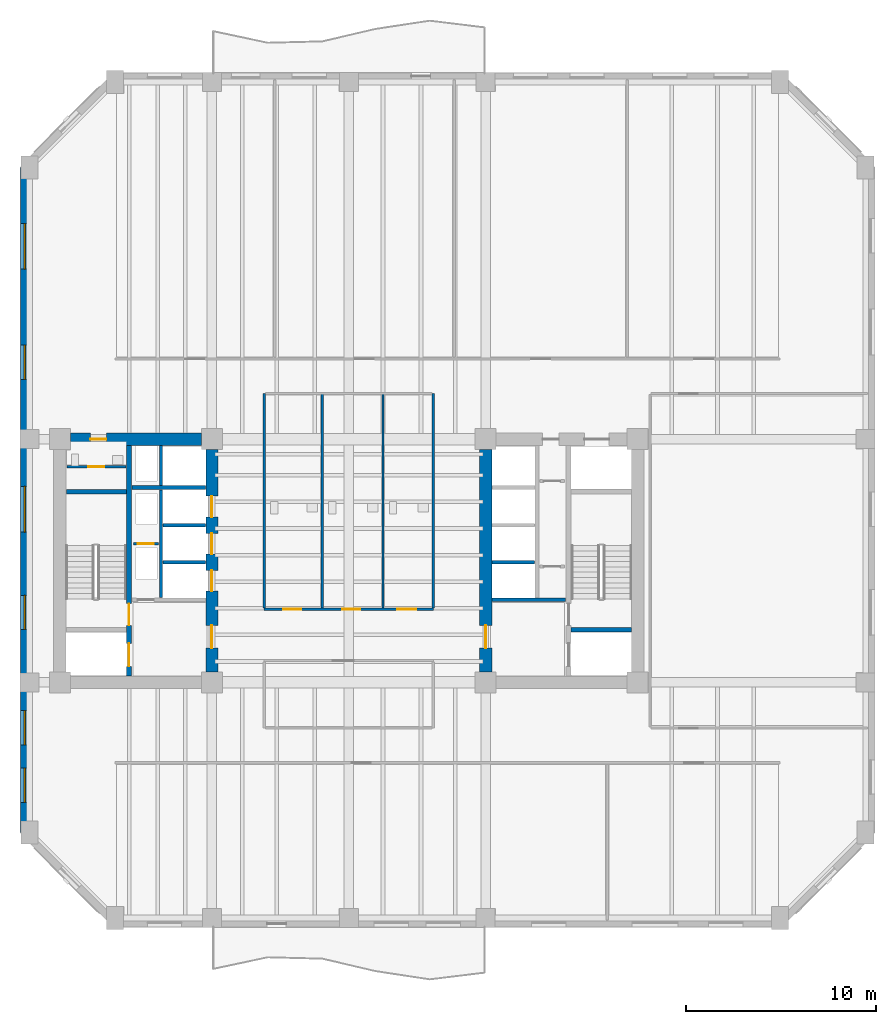
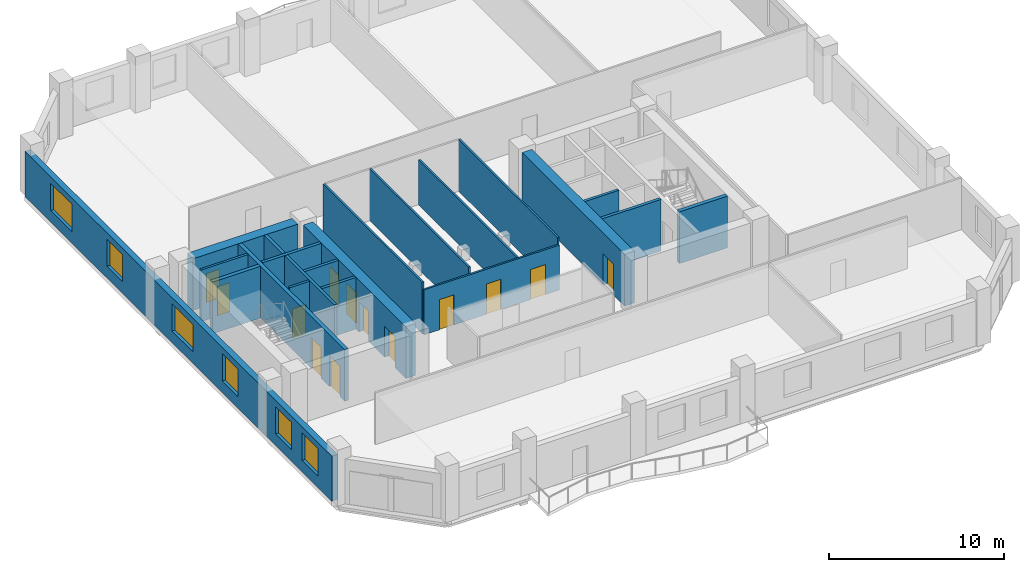
# One storey, part 3 of 9: 21 walls, 13 doors, 6 windows, 19 openings.
"""IFC4 building model written with IfcOpenShell, lengths in metres."""

from ifc_helpers import new_model, si_unit, direction, frame, frame_2d, origin, place, context, subcontext, project, spatial, rectangle, extrude, material, layer, layer_set, type_object, element, fill, save


model = new_model("IFC4")

# Units and contexts
model_context = context("Model", 3, precision=1e-05, world=origin(), true_north=direction((0.0, 1.0)))
body_context = subcontext(model_context, "Body", "Model", "MODEL_VIEW")
ifc_project = project(units=[si_unit("LENGTHUNIT", "METRE"), si_unit("AREAUNIT", "SQUARE_METRE"), si_unit("VOLUMEUNIT", "CUBIC_METRE"), si_unit("PLANEANGLEUNIT", "RADIAN"), si_unit("MASSUNIT", "GRAM", prefix="KILO")], contexts=[model_context])

# Site, building, storey
site_placement = place(None, origin())
site = spatial("IfcSite", under=ifc_project, at=site_placement, CompositionType="ELEMENT")
building_placement = place(site_placement, origin())
building = spatial("IfcBuilding", under=site, at=building_placement, Name="Kranthara Brick Stack", CompositionType="ELEMENT")
storey_placement = place(building_placement, frame((0.0, 0.0, 78.89990234375)))
storey = spatial("IfcBuildingStorey", under=building, at=storey_placement, Name="L19", CompositionType="ELEMENT", Elevation=78.89990234375)

# Wall, openings, windows
ifc_material_1 = material(Name="Kiln-fired clay brick masonry M15", Category="masonry")
ifc_layer_1 = layer(ifc_material_1, 0.3798828125)
ifc_layer_set_1 = layer_set([ifc_layer_1], Name="Kiln-fired clay brick masonry M15")
wall_type_1 = type_object("IfcWallType", Name="WL-BRK-PIER-380", PredefinedType="STANDARD", material=ifc_layer_set_1)
wall_1_placement = place(storey_placement, frame((10.909912109375, 12.89990234375, 0.0), z_axis=(0.0, 0.0, 1.0), x_axis=(0.0, 1.0, 0.0)))
wall_1 = element("IfcWall", 1, at=wall_1_placement, inside=storey, type_object=wall_type_1, Name="L19 Exterior Brick Facade Wall WEST 1", PredefinedType="STANDARD", context=body_context, shape_type="SweptSolid", body=[
    extrude(rectangle(XDim=35.0, YDim=0.3798828125, at=frame_2d((17.5, 0.0))), origin(), (0.0, 0.0, 1.0), 3.135009765625),
])
opening_1_placement = place(wall_1_placement, frame((1.587890625, 0.0, 0.800048828125)))
opening_1 = element("IfcOpeningElement", 2, at=opening_1_placement, cuts=wall_1, Name="Opening WN01", PredefinedType="OPENING", context=body_context, shape_type="SweptSolid", body=[
    extrude(rectangle(XDim=1.800048828125, YDim=1.89990234375, at=frame_2d((0.89990234375, 0.949951171875))), frame((0.0, 0.199951171875, 0.0), z_axis=(0.0, -1.0, 0.0), x_axis=(1.0, 0.0, 0.0)), (0.0, 0.0, 1.0), 0.39990234375),
])
opening_2_placement = place(wall_1_placement, frame((4.612060546875, 0.0, 0.800048828125)))
opening_2 = element("IfcOpeningElement", 3, at=opening_2_placement, cuts=wall_1, Name="Opening WN01", PredefinedType="OPENING", context=body_context, shape_type="SweptSolid", body=[
    extrude(rectangle(XDim=1.800048828125, YDim=1.89990234375, at=frame_2d((0.89990234375, 0.949951171875))), frame((0.0, 0.199951171875, 0.0), z_axis=(0.0, -1.0, 0.0), x_axis=(1.0, 0.0, 0.0)), (0.0, 0.0, 1.0), 0.39990234375),
])
opening_3_placement = place(wall_1_placement, frame((10.68798828125, 0.0, 0.800048828125)))
opening_3 = element("IfcOpeningElement", 4, at=opening_3_placement, cuts=wall_1, Name="Opening WN01", PredefinedType="OPENING", context=body_context, shape_type="SweptSolid", body=[
    extrude(rectangle(XDim=1.800048828125, YDim=1.89990234375, at=frame_2d((0.89990234375, 0.949951171875))), frame((0.0, 0.199951171875, 0.0), z_axis=(0.0, -1.0, 0.0), x_axis=(1.0, 0.0, 0.0)), (0.0, 0.0, 1.0), 0.39990234375),
])
opening_4_placement = place(wall_1_placement, frame((15.81201171875, 0.0, 0.800048828125)))
opening_4 = element("IfcOpeningElement", 5, at=opening_4_placement, cuts=wall_1, Name="Opening WN02", PredefinedType="OPENING", context=body_context, shape_type="SweptSolid", body=[
    extrude(rectangle(XDim=2.39990234375, YDim=1.89990234375, at=frame_2d((1.199951171875, 0.949951171875))), frame((0.0, 0.199951171875, 0.0), z_axis=(0.0, -1.0, 0.0), x_axis=(1.0, 0.0, 0.0)), (0.0, 0.0, 1.0), 0.39990234375),
])
opening_5_placement = place(wall_1_placement, frame((23.85205078125, 0.0, 0.800048828125)))
opening_5 = element("IfcOpeningElement", 6, at=opening_5_placement, cuts=wall_1, Name="Opening WN01", PredefinedType="OPENING", context=body_context, shape_type="SweptSolid", body=[
    extrude(rectangle(XDim=1.800048828125, YDim=1.89990234375, at=frame_2d((0.89990234375, 0.949951171875))), frame((0.0, 0.199951171875, 0.0), z_axis=(0.0, -1.0, 0.0), x_axis=(1.0, 0.0, 0.0)), (0.0, 0.0, 1.0), 0.39990234375),
])
opening_6_placement = place(wall_1_placement, frame((29.64794921875, 0.0, 0.800048828125)))
opening_6 = element("IfcOpeningElement", 7, at=opening_6_placement, cuts=wall_1, Name="Opening WN02", PredefinedType="OPENING", context=body_context, shape_type="SweptSolid", body=[
    extrude(rectangle(XDim=2.39990234375, YDim=1.89990234375, at=frame_2d((1.199951171875, 0.949951171875))), frame((0.0, 0.199951171875, 0.0), z_axis=(0.0, -1.0, 0.0), x_axis=(1.0, 0.0, 0.0)), (0.0, 0.0, 1.0), 0.39990234375),
])
ifc_material_2 = material(Name="Double-glazed low-E solar control glass", Category="glass")
window_type_1 = type_object("IfcWindowType", Name="WN-OFF-1800x2000", PartitioningType="SINGLE_PANEL", PredefinedType="WINDOW", material=ifc_material_2)
window_1_placement = place(opening_1_placement, origin())
window_1 = element("IfcWindow", 8, at=window_1_placement, inside=storey, type_object=window_type_1, Name="L19 West Deep-Set Brick Window 01", OverallHeight=1.89990234375, OverallWidth=1.800048828125, PartitioningType="SINGLE_PANEL", PredefinedType="WINDOW", context=body_context, shape_type="SweptSolid", body=[
    extrude(rectangle(XDim=1.800048828125, YDim=1.89990234375, at=frame_2d((0.89990234375, 0.949951171875))), frame((0.0, -0.010009765625, 0.0), z_axis=(0.0, -1.0, 0.0), x_axis=(1.0, 0.0, 0.0)), (0.0, 0.0, 1.0), 0.06005859375),
])
fill(opening_1, window_1)
window_2_placement = place(opening_2_placement, origin())
window_2 = element("IfcWindow", 9, at=window_2_placement, inside=storey, type_object=window_type_1, Name="L19 West Deep-Set Brick Window 02", OverallHeight=1.89990234375, OverallWidth=1.800048828125, PartitioningType="SINGLE_PANEL", PredefinedType="WINDOW", context=body_context, shape_type="SweptSolid", body=[
    extrude(rectangle(XDim=1.800048828125, YDim=1.89990234375, at=frame_2d((0.89990234375, 0.949951171875))), frame((0.0, -0.010009765625, 0.0), z_axis=(0.0, -1.0, 0.0), x_axis=(1.0, 0.0, 0.0)), (0.0, 0.0, 1.0), 0.06005859375),
])
fill(opening_2, window_2)
window_3_placement = place(opening_3_placement, origin())
window_3 = element("IfcWindow", 10, at=window_3_placement, inside=storey, type_object=window_type_1, Name="L19 West Deep-Set Brick Window 03", OverallHeight=1.89990234375, OverallWidth=1.800048828125, PartitioningType="SINGLE_PANEL", PredefinedType="WINDOW", context=body_context, shape_type="SweptSolid", body=[
    extrude(rectangle(XDim=1.800048828125, YDim=1.89990234375, at=frame_2d((0.89990234375, 0.949951171875))), frame((0.0, -0.010009765625, 0.0), z_axis=(0.0, -1.0, 0.0), x_axis=(1.0, 0.0, 0.0)), (0.0, 0.0, 1.0), 0.06005859375),
])
fill(opening_3, window_3)
window_4_placement = place(opening_5_placement, origin())
window_4 = element("IfcWindow", 11, at=window_4_placement, inside=storey, type_object=window_type_1, Name="L19 West Deep-Set Brick Window 05", OverallHeight=1.89990234375, OverallWidth=1.800048828125, PartitioningType="SINGLE_PANEL", PredefinedType="WINDOW", context=body_context, shape_type="SweptSolid", body=[
    extrude(rectangle(XDim=1.800048828125, YDim=1.89990234375, at=frame_2d((0.89990234375, 0.949951171875))), frame((0.0, -0.010009765625, 0.0), z_axis=(0.0, -1.0, 0.0), x_axis=(1.0, 0.0, 0.0)), (0.0, 0.0, 1.0), 0.06005859375),
])
fill(opening_5, window_4)
ifc_material_3 = material(Name="Double-glazed low-E solar control glass", Category="glass")
window_type_2 = type_object("IfcWindowType", Name="WN-OFF-2400x2000", PartitioningType="DOUBLE_PANEL_VERTICAL", PredefinedType="WINDOW", material=ifc_material_3)
window_5_placement = place(opening_4_placement, origin())
window_5 = element("IfcWindow", 12, at=window_5_placement, inside=storey, type_object=window_type_2, Name="L19 West Deep-Set Brick Window 04", OverallHeight=1.89990234375, OverallWidth=2.39990234375, PartitioningType="SINGLE_PANEL", PredefinedType="WINDOW", context=body_context, shape_type="SweptSolid", body=[
    extrude(rectangle(XDim=2.39990234375, YDim=1.89990234375, at=frame_2d((1.199951171875, 0.949951171875))), frame((0.0, -0.010009765625, 0.0), z_axis=(0.0, -1.0, 0.0), x_axis=(1.0, 0.0, 0.0)), (0.0, 0.0, 1.0), 0.06005859375),
])
fill(opening_4, window_5)
window_6_placement = place(opening_6_placement, origin())
window_6 = element("IfcWindow", 13, at=window_6_placement, inside=storey, type_object=window_type_2, Name="L19 West Deep-Set Brick Window 06", OverallHeight=1.89990234375, OverallWidth=2.39990234375, PartitioningType="SINGLE_PANEL", PredefinedType="WINDOW", context=body_context, shape_type="SweptSolid", body=[
    extrude(rectangle(XDim=2.39990234375, YDim=1.89990234375, at=frame_2d((1.199951171875, 0.949951171875))), frame((0.0, -0.010009765625, 0.0), z_axis=(0.0, -1.0, 0.0), x_axis=(1.0, 0.0, 0.0)), (0.0, 0.0, 1.0), 0.06005859375),
])
fill(opening_6, window_6)

# Wall, openings, doors
ifc_material_4 = material(Name="Concrete C50/60", Category="concrete")
ifc_layer_2 = layer(ifc_material_4, 0.25)
ifc_layer_set_2 = layer_set([ifc_layer_2], Name="Concrete C50/60")
wall_type_2 = type_object("IfcWallType", Name="WL-CORE-250", PredefinedType="SHEAR", material=ifc_layer_set_2)
wall_2_placement = place(storey_placement, frame((16.43505859375, 21.135009765625, 0.0), z_axis=(0.0, 0.0, 1.0), x_axis=(0.0, 1.0, 0.0)))
wall_2 = element("IfcWall", 14, at=wall_2_placement, inside=storey, type_object=wall_type_2, Name="L19 West Core Stair Bearing Spine Wall", PredefinedType="SHEAR", context=body_context, shape_type="SweptSolid", body=[
    extrude(rectangle(XDim=12.1298828125, YDim=0.25, at=frame_2d((6.06494140625, 0.0))), origin(), (0.0, 0.0, 1.0), 3.60009765625),
])
opening_7_placement = place(wall_2_placement, frame((0.514892578125, 0.0, 0.0)))
opening_7 = element("IfcOpeningElement", 15, at=opening_7_placement, cuts=wall_2, Name="Opening LD01", PredefinedType="OPENING", context=body_context, shape_type="SweptSolid", body=[
    extrude(rectangle(XDim=1.199951171875, YDim=2.14990234375, at=frame_2d((0.60009765625, 1.074951171875))), frame((0.0, 0.135009765625, 0.0), z_axis=(0.0, -1.0, 0.0), x_axis=(1.0, 0.0, 0.0)), (0.0, 0.0, 1.0), 0.27001953125),
])
opening_8_placement = place(wall_2_placement, frame((2.6650390625, 0.0, 0.0)))
opening_8 = element("IfcOpeningElement", 16, at=opening_8_placement, cuts=wall_2, Name="Opening D05", PredefinedType="OPENING", context=body_context, shape_type="SweptSolid", body=[
    extrude(rectangle(XDim=1.14990234375, YDim=2.14990234375, at=frame_2d((0.574951171875, 1.074951171875))), frame((0.0, 0.135009765625, 0.0), z_axis=(0.0, -1.0, 0.0), x_axis=(1.0, 0.0, 0.0)), (0.0, 0.0, 1.0), 0.27001953125),
])
ifc_material_5 = material(Name="Stainless steel sliding landing door", Category="steel")
door_type_1 = type_object("IfcDoorType", Name="DR-LD-FF1200", OperationType="DOUBLE_DOOR_SLIDING", PredefinedType="DOOR", material=ifc_material_5)
door_1_placement = place(opening_7_placement, origin())
door_1 = element("IfcDoor", 17, at=door_1_placement, inside=storey, type_object=door_type_1, Name="L19 Firefighting Lift FF-01 Landing Door", OperationType="DOUBLE_DOOR_SLIDING", OverallHeight=2.14990234375, OverallWidth=1.199951171875, PredefinedType="DOOR", context=body_context, shape_type="SweptSolid", body=[
    extrude(rectangle(XDim=1.199951171875, YDim=2.14990234375, at=frame_2d((0.60009765625, 1.074951171875))), frame((0.0, 0.02490234375, 0.0), z_axis=(0.0, -1.0, 0.0), x_axis=(1.0, 0.0, 0.0)), (0.0, 0.0, 1.0), 0.050048828125),
])
fill(opening_7, door_1)
ifc_material_6 = material(Name="Solid-core hardwood timber leaf in steel frame", Category="steel")
door_type_2 = type_object("IfcDoorType", Name="DR-ST-1150", OperationType="NOTDEFINED", PredefinedType="DOOR", material=ifc_material_6)
door_2_placement = place(opening_8_placement, origin())
door_2 = element("IfcDoor", 18, at=door_2_placement, inside=storey, type_object=door_type_2, Name="L19 Exit Stair ST01 Door", OperationType="SINGLE_SWING_RIGHT", OverallHeight=2.14990234375, OverallWidth=1.14990234375, PredefinedType="DOOR", context=body_context, shape_type="SweptSolid", body=[
    extrude(rectangle(XDim=1.14990234375, YDim=2.14990234375, at=frame_2d((0.574951171875, 1.074951171875))), frame((0.0, 0.02490234375, 0.0), z_axis=(0.0, -1.0, 0.0), x_axis=(1.0, 0.0, 0.0)), (0.0, 0.0, 1.0), 0.050048828125),
])
fill(opening_8, door_2)

# Walls
for number, where, z_axis, x_axis, name in (
    (19, (13.135009765625, 30.830078125, 0.0), (0.0, 0.0, 1.0), (1.0, 0.0, 0.0), "L19 West Stairwell Bearing Wall WST"),
    (20, (39.68994140625, 23.570068359375, 0.0), (0.0, 0.0, 1.0), (1.0, 0.0, 0.0), "L19 East Stairwell Bearing Wall EFF"),
):
    element("IfcWall", number, at=place(storey_placement, frame(where, z_axis=z_axis, x_axis=x_axis)), inside=storey, type_object=wall_type_2, Name=name, PredefinedType="SHEAR", context=body_context, shape_type="SweptSolid", body=[
        extrude(rectangle(XDim=3.175048828125, YDim=0.25, at=frame_2d((1.58740234375, 0.0))), origin(), (0.0, 0.0, 1.0), 3.60009765625),
    ])

# Wall, opening, door
ifc_material_7 = material(Name="Concrete C60/75", Category="concrete")
ifc_layer_3 = layer(ifc_material_7, 0.64990234375)
ifc_layer_set_3 = layer_set([ifc_layer_3], Name="Concrete C60/75")
wall_type_3 = type_object("IfcWallType", Name="WL-CORE-650", PredefinedType="SHEAR", material=ifc_layer_set_3)
wall_3_placement = place(storey_placement, frame((13.35498046875, 33.60009765625, 0.0), z_axis=(0.0, 0.0, 1.0), x_axis=(1.0, 0.0, 0.0)))
wall_3 = element("IfcWall", 21, at=wall_3_placement, inside=storey, type_object=wall_type_3, Name="L19 West Core Shear Wall North", PredefinedType="SHEAR", context=body_context, shape_type="SweptSolid", body=[
    extrude(rectangle(XDim=6.89013671875, YDim=0.64990234375, at=frame_2d((3.445068359375, 0.0))), origin(), (0.0, 0.0, 1.0), 3.60009765625),
])
opening_9_placement = place(wall_3_placement, frame((1.044921875, 0.0, 0.0)))
opening_9 = element("IfcOpeningElement", 22, at=opening_9_placement, cuts=wall_3, Name="Opening D10", PredefinedType="OPENING", context=body_context, shape_type="SweptSolid", body=[
    extrude(rectangle(XDim=0.85009765625, YDim=2.02001953125, at=frame_2d((0.425048828125, 1.010009765625))), frame((0.0, 0.3349609375, 0.0), z_axis=(0.0, -1.0, 0.0), x_axis=(1.0, 0.0, 0.0)), (0.0, 0.0, 1.0), 0.669921875),
])
ifc_material_8 = material(Name="Solid-core hardwood timber leaf in steel frame", Category="steel")
door_type_3 = type_object("IfcDoorType", Name="DR-RSR-850", OperationType="NOTDEFINED", PredefinedType="DOOR", material=ifc_material_8)
door_3_placement = place(opening_9_placement, origin())
door_3 = element("IfcDoor", 23, at=door_3_placement, inside=storey, type_object=door_type_3, Name="L19 West Core Service Door 1", OperationType="SINGLE_SWING_LEFT", OverallHeight=2.02001953125, OverallWidth=0.85009765625, PredefinedType="DOOR", context=body_context, shape_type="SweptSolid", body=[
    extrude(rectangle(XDim=0.85009765625, YDim=2.02001953125, at=frame_2d((0.425048828125, 1.010009765625))), frame((0.0, 0.02490234375, 0.0), z_axis=(0.0, -1.0, 0.0), x_axis=(1.0, 0.0, 0.0)), (0.0, 0.0, 1.0), 0.050048828125),
])
fill(opening_9, door_3)

# Wall, openings, doors
wall_4_placement = place(storey_placement, frame((20.800048828125, 21.35498046875, 0.0), z_axis=(0.0, 0.0, 1.0), x_axis=(0.0, 1.0, 0.0)))
wall_4 = element("IfcWall", 24, at=wall_4_placement, inside=storey, type_object=wall_type_3, Name="L19 West Core Shear Wall East", PredefinedType="SHEAR", context=body_context, shape_type="SweptSolid", body=[
    extrude(rectangle(XDim=11.68994140625, YDim=0.64990234375, at=frame_2d((5.844970703125, 0.0))), origin(), (0.0, 0.0, 1.0), 3.60009765625),
])
opening_10_placement = place(wall_4_placement, frame((1.2451171875, 0.0, 0.0)))
opening_10 = element("IfcOpeningElement", 25, at=opening_10_placement, cuts=wall_4, Name="Opening D06", PredefinedType="OPENING", context=body_context, shape_type="SweptSolid", body=[
    extrude(rectangle(XDim=1.199951171875, YDim=2.14990234375, at=frame_2d((0.60009765625, 1.074951171875))), frame((0.0, 0.3349609375, 0.0), z_axis=(0.0, -1.0, 0.0), x_axis=(1.0, 0.0, 0.0)), (0.0, 0.0, 1.0), 0.669921875),
])
opening_11_placement = place(wall_4_placement, frame((4.2451171875, 0.0, 0.0)))
opening_11 = element("IfcOpeningElement", 26, at=opening_11_placement, cuts=wall_4, Name="Opening LD02", PredefinedType="OPENING", context=body_context, shape_type="SweptSolid", body=[
    extrude(rectangle(XDim=1.10009765625, YDim=2.10009765625, at=frame_2d((0.550048828125, 1.050048828125))), frame((0.0, 0.3349609375, 0.0), z_axis=(0.0, -1.0, 0.0), x_axis=(1.0, 0.0, 0.0)), (0.0, 0.0, 1.0), 0.669921875),
])
opening_12_placement = place(wall_4_placement, frame((6.195068359375, 0.0, 0.0)))
opening_12 = element("IfcOpeningElement", 27, at=opening_12_placement, cuts=wall_4, Name="Opening LD02", PredefinedType="OPENING", context=body_context, shape_type="SweptSolid", body=[
    extrude(rectangle(XDim=1.10009765625, YDim=2.10009765625, at=frame_2d((0.550048828125, 1.050048828125))), frame((0.0, 0.3349609375, 0.0), z_axis=(0.0, -1.0, 0.0), x_axis=(1.0, 0.0, 0.0)), (0.0, 0.0, 1.0), 0.669921875),
])
opening_13_placement = place(wall_4_placement, frame((8.14501953125, 0.0, 0.0)))
opening_13 = element("IfcOpeningElement", 28, at=opening_13_placement, cuts=wall_4, Name="Opening LD02", PredefinedType="OPENING", context=body_context, shape_type="SweptSolid", body=[
    extrude(rectangle(XDim=1.10009765625, YDim=2.10009765625, at=frame_2d((0.550048828125, 1.050048828125))), frame((0.0, 0.3349609375, 0.0), z_axis=(0.0, -1.0, 0.0), x_axis=(1.0, 0.0, 0.0)), (0.0, 0.0, 1.0), 0.669921875),
])
ifc_material_9 = material(Name="Solid-core hardwood timber leaf in steel frame", Category="steel")
door_type_4 = type_object("IfcDoorType", Name="DR-FFL-1200", OperationType="NOTDEFINED", PredefinedType="DOOR", material=ifc_material_9)
door_4_placement = place(opening_10_placement, origin())
door_4 = element("IfcDoor", 29, at=door_4_placement, inside=storey, type_object=door_type_4, Name="L19 West Firefighting Lobby Door", OperationType="SINGLE_SWING_LEFT", OverallHeight=2.14990234375, OverallWidth=1.199951171875, PredefinedType="DOOR", context=body_context, shape_type="SweptSolid", body=[
    extrude(rectangle(XDim=1.199951171875, YDim=2.14990234375, at=frame_2d((0.60009765625, 1.074951171875))), frame((0.0, 0.02490234375, 0.0), z_axis=(0.0, -1.0, 0.0), x_axis=(1.0, 0.0, 0.0)), (0.0, 0.0, 1.0), 0.050048828125),
])
fill(opening_10, door_4)
ifc_material_10 = material(Name="Stainless steel sliding landing door", Category="steel")
door_type_5 = type_object("IfcDoorType", Name="DR-LD-PL1100", OperationType="DOUBLE_DOOR_SLIDING", PredefinedType="DOOR", material=ifc_material_10)
door_5_placement = place(opening_11_placement, origin())
door_5 = element("IfcDoor", 30, at=door_5_placement, inside=storey, type_object=door_type_5, Name="L19 PL-01 Lift Landing Door", OperationType="DOUBLE_DOOR_SLIDING", OverallHeight=2.10009765625, OverallWidth=1.10009765625, PredefinedType="DOOR", context=body_context, shape_type="SweptSolid", body=[
    extrude(rectangle(XDim=1.10009765625, YDim=2.10009765625, at=frame_2d((0.550048828125, 1.050048828125))), frame((0.0, 0.02490234375, 0.0), z_axis=(0.0, -1.0, 0.0), x_axis=(1.0, 0.0, 0.0)), (0.0, 0.0, 1.0), 0.050048828125),
])
fill(opening_11, door_5)
door_6_placement = place(opening_12_placement, origin())
door_6 = element("IfcDoor", 31, at=door_6_placement, inside=storey, type_object=door_type_5, Name="L19 PL-02 Lift Landing Door", OperationType="DOUBLE_DOOR_SLIDING", OverallHeight=2.10009765625, OverallWidth=1.10009765625, PredefinedType="DOOR", context=body_context, shape_type="SweptSolid", body=[
    extrude(rectangle(XDim=1.10009765625, YDim=2.10009765625, at=frame_2d((0.550048828125, 1.050048828125))), frame((0.0, 0.02490234375, 0.0), z_axis=(0.0, -1.0, 0.0), x_axis=(1.0, 0.0, 0.0)), (0.0, 0.0, 1.0), 0.050048828125),
])
fill(opening_12, door_6)
door_7_placement = place(opening_13_placement, origin())
door_7 = element("IfcDoor", 32, at=door_7_placement, inside=storey, type_object=door_type_5, Name="L19 PL-03 Lift Landing Door", OperationType="DOUBLE_DOOR_SLIDING", OverallHeight=2.10009765625, OverallWidth=1.10009765625, PredefinedType="DOOR", context=body_context, shape_type="SweptSolid", body=[
    extrude(rectangle(XDim=1.10009765625, YDim=2.10009765625, at=frame_2d((0.550048828125, 1.050048828125))), frame((0.0, 0.02490234375, 0.0), z_axis=(0.0, -1.0, 0.0), x_axis=(1.0, 0.0, 0.0)), (0.0, 0.0, 1.0), 0.050048828125),
])
fill(opening_13, door_7)

# Wall, opening, door
wall_5_placement = place(storey_placement, frame((35.199951171875, 21.35498046875, 0.0), z_axis=(0.0, 0.0, 1.0), x_axis=(0.0, 1.0, 0.0)))
wall_5 = element("IfcWall", 33, at=wall_5_placement, inside=storey, type_object=wall_type_3, Name="L19 East Core Shear Wall West", PredefinedType="SHEAR", context=body_context, shape_type="SweptSolid", body=[
    extrude(rectangle(XDim=11.68994140625, YDim=0.64990234375, at=frame_2d((5.844970703125, 0.0))), origin(), (0.0, 0.0, 1.0), 3.60009765625),
])
opening_14_placement = place(wall_5_placement, frame((1.2451171875, 0.0, 0.0)))
opening_14 = element("IfcOpeningElement", 34, at=opening_14_placement, cuts=wall_5, Name="Opening D06", PredefinedType="OPENING", context=body_context, shape_type="SweptSolid", body=[
    extrude(rectangle(XDim=1.199951171875, YDim=2.14990234375, at=frame_2d((0.60009765625, 1.074951171875))), frame((0.0, 0.3349609375, 0.0), z_axis=(0.0, -1.0, 0.0), x_axis=(1.0, 0.0, 0.0)), (0.0, 0.0, 1.0), 0.669921875),
])
door_8_placement = place(opening_14_placement, origin())
door_8 = element("IfcDoor", 35, at=door_8_placement, inside=storey, type_object=door_type_4, Name="L19 East Firefighting Lobby Door", OperationType="SINGLE_SWING_RIGHT", OverallHeight=2.14990234375, OverallWidth=1.199951171875, PredefinedType="DOOR", context=body_context, shape_type="SweptSolid", body=[
    extrude(rectangle(XDim=1.199951171875, YDim=2.14990234375, at=frame_2d((0.60009765625, 1.074951171875))), frame((0.0, 0.02490234375, 0.0), z_axis=(0.0, -1.0, 0.0), x_axis=(1.0, 0.0, 0.0)), (0.0, 0.0, 1.0), 0.050048828125),
])
fill(opening_14, door_8)

# Wall, openings, doors
ifc_material_11 = material(Name="Acoustic gypsum plasterboard partition", Category="other")
ifc_layer_4 = layer(ifc_material_11, 0.1201171875)
ifc_layer_set_4 = layer_set([ifc_layer_4], Name="Acoustic gypsum plasterboard partition")
wall_type_4 = type_object("IfcWallType", Name="WL-PART-120", PredefinedType="PARTITIONING", material=ifc_layer_set_4)
wall_6_placement = place(storey_placement, frame((23.550048828125, 24.64990234375, 0.0), z_axis=(0.0, 0.0, 1.0), x_axis=(1.0, 0.0, 0.0)))
wall_6 = element("IfcWall", 36, at=wall_6_placement, inside=storey, type_object=wall_type_4, Name="L19 Interior Partition 005", PredefinedType="PARTITIONING", context=body_context, shape_type="SweptSolid", body=[
    extrude(rectangle(XDim=8.89990234375, YDim=0.1201171875, at=frame_2d((4.449951171875, 0.0))), origin(), (0.0, 0.0, 1.0), 3.135009765625),
])
opening_15_placement = place(wall_6_placement, frame((1.0, 0.0, 0.0)))
opening_15 = element("IfcOpeningElement", 37, at=opening_15_placement, cuts=wall_6, Name="Opening D14", PredefinedType="OPENING", context=body_context, shape_type="SweptSolid", body=[
    extrude(rectangle(XDim=0.949951171875, YDim=2.10009765625, at=frame_2d((0.47509765625, 1.050048828125))), frame((0.0, 0.070068359375, 0.0), z_axis=(0.0, -1.0, 0.0), x_axis=(1.0, 0.0, 0.0)), (0.0, 0.0, 1.0), 0.14013671875),
])
opening_16_placement = place(wall_6_placement, frame((4.10009765625, 0.0, 0.0)))
opening_16 = element("IfcOpeningElement", 38, at=opening_16_placement, cuts=wall_6, Name="Opening D14", PredefinedType="OPENING", context=body_context, shape_type="SweptSolid", body=[
    extrude(rectangle(XDim=0.949951171875, YDim=2.10009765625, at=frame_2d((0.47509765625, 1.050048828125))), frame((0.0, 0.070068359375, 0.0), z_axis=(0.0, -1.0, 0.0), x_axis=(1.0, 0.0, 0.0)), (0.0, 0.0, 1.0), 0.14013671875),
])
opening_17_placement = place(wall_6_placement, frame((7.0, 0.0, 0.0)))
opening_17 = element("IfcOpeningElement", 39, at=opening_17_placement, cuts=wall_6, Name="Opening D18", PredefinedType="OPENING", context=body_context, shape_type="SweptSolid", body=[
    extrude(rectangle(XDim=1.0, YDim=2.10009765625, at=frame_2d((0.5, 1.050048828125))), frame((0.0, 0.070068359375, 0.0), z_axis=(0.0, -1.0, 0.0), x_axis=(1.0, 0.0, 0.0)), (0.0, 0.0, 1.0), 0.14013671875),
])
ifc_material_12 = material(Name="Solid-core hardwood timber leaf in steel frame", Category="steel")
door_type_6 = type_object("IfcDoorType", Name="DR-ACC-1000", OperationType="NOTDEFINED", PredefinedType="DOOR", material=ifc_material_12)
door_9_placement = place(opening_17_placement, origin())
door_9 = element("IfcDoor", 40, at=door_9_placement, inside=storey, type_object=door_type_6, Name="L19 Accessible WC Door 07", OperationType="SINGLE_SWING_LEFT", OverallHeight=2.10009765625, OverallWidth=1.0, PredefinedType="DOOR", context=body_context, shape_type="SweptSolid", body=[
    extrude(rectangle(XDim=1.0, YDim=2.10009765625, at=frame_2d((0.5, 1.050048828125))), frame((0.0, 0.02490234375, 0.0), z_axis=(0.0, -1.0, 0.0), x_axis=(1.0, 0.0, 0.0)), (0.0, 0.0, 1.0), 0.050048828125),
])
fill(opening_17, door_9)
ifc_material_13 = material(Name="Solid-core hardwood timber leaf in steel frame", Category="steel")
door_type_7 = type_object("IfcDoorType", Name="DR-INT-950", OperationType="NOTDEFINED", PredefinedType="DOOR", material=ifc_material_13)
door_10_placement = place(opening_15_placement, origin())
door_10 = element("IfcDoor", 41, at=door_10_placement, inside=storey, type_object=door_type_7, Name="L19 Male WC Door 05", OperationType="SINGLE_SWING_LEFT", OverallHeight=2.10009765625, OverallWidth=0.949951171875, PredefinedType="DOOR", context=body_context, shape_type="SweptSolid", body=[
    extrude(rectangle(XDim=0.949951171875, YDim=2.10009765625, at=frame_2d((0.47509765625, 1.050048828125))), frame((0.0, 0.02490234375, 0.0), z_axis=(0.0, -1.0, 0.0), x_axis=(1.0, 0.0, 0.0)), (0.0, 0.0, 1.0), 0.050048828125),
])
fill(opening_15, door_10)
door_11_placement = place(opening_16_placement, origin())
door_11 = element("IfcDoor", 42, at=door_11_placement, inside=storey, type_object=door_type_7, Name="L19 Female WC Door 06", OperationType="SINGLE_SWING_RIGHT", OverallHeight=2.10009765625, OverallWidth=0.949951171875, PredefinedType="DOOR", context=body_context, shape_type="SweptSolid", body=[
    extrude(rectangle(XDim=0.949951171875, YDim=2.10009765625, at=frame_2d((0.47509765625, 1.050048828125))), frame((0.0, 0.02490234375, 0.0), z_axis=(0.0, -1.0, 0.0), x_axis=(1.0, 0.0, 0.0)), (0.0, 0.0, 1.0), 0.050048828125),
])
fill(opening_16, door_11)

# Walls
for number, where, z_axis, x_axis, name in (
    (43, (23.550048828125, 24.715087890625, 0.0), (0.0, 0.0, 1.0), (0.0, 1.0, 0.0), "L19 Interior Partition 006"),
    (44, (32.449951171875, 24.715087890625, 0.0), (0.0, 0.0, 1.0), (0.0, 1.0, 0.0), "L19 Interior Partition 007"),
    (45, (26.60009765625, 24.715087890625, 0.0), (0.0, 0.0, 1.0), (0.0, 1.0, 0.0), "L19 Interior Partition 008"),
):
    element("IfcWall", number, at=place(storey_placement, frame(where, z_axis=z_axis, x_axis=x_axis)), inside=storey, type_object=wall_type_4, Name=name, PredefinedType="PARTITIONING", context=body_context, shape_type="SweptSolid", body=[
        extrude(rectangle(XDim=11.284912109375, YDim=0.1201171875, at=frame_2d((5.642578125, 0.0))), origin(), (0.0, 0.0, 1.0), 3.60009765625),
    ])
wall_7_placement = place(storey_placement, frame((29.800048828125, 24.715087890625, 0.0), z_axis=(0.0, 0.0, 1.0), x_axis=(0.0, 1.0, 0.0)))
element("IfcWall", 46, at=wall_7_placement, inside=storey, type_object=wall_type_4, Name="L19 Interior Partition 009", PredefinedType="PARTITIONING", context=body_context, shape_type="SweptSolid", body=[
    extrude(rectangle(XDim=11.284912109375, YDim=0.1201171875, at=frame_2d((5.642578125, 0.0))), origin(), (0.0, 0.0, 1.0), 3.135009765625),
])

# Wall, opening, door
ifc_material_14 = material(Name="Fire-rated gypsum board partition", Category="other")
ifc_layer_5 = layer(ifc_material_14, 0.14990234375)
ifc_layer_set_5 = layer_set([ifc_layer_5], Name="Fire-rated gypsum board partition")
wall_type_5 = type_object("IfcWallType", Name="WL-PART-150", PredefinedType="PARTITIONING", material=ifc_layer_set_5)
wall_8_placement = place(storey_placement, frame((13.179931640625, 32.14990234375, 0.0), z_axis=(0.0, 0.0, 1.0), x_axis=(1.0, 0.0, 0.0)))
wall_8 = element("IfcWall", 47, at=wall_8_placement, inside=storey, type_object=wall_type_5, Name="L19 Interior Partition 001", PredefinedType="PARTITIONING", context=body_context, shape_type="SweptSolid", body=[
    extrude(rectangle(XDim=3.10009765625, YDim=0.14990234375, at=frame_2d((1.550048828125, 0.0))), origin(), (0.0, 0.0, 1.0), 3.60009765625),
])
opening_18_placement = place(wall_8_placement, frame((1.10009765625, 0.0, 0.0)))
opening_18 = element("IfcOpeningElement", 48, at=opening_18_placement, cuts=wall_8, Name="Opening D10", PredefinedType="OPENING", context=body_context, shape_type="SweptSolid", body=[
    extrude(rectangle(XDim=0.85009765625, YDim=2.02001953125, at=frame_2d((0.425048828125, 1.010009765625))), frame((0.0, 0.0849609375, 0.0), z_axis=(0.0, -1.0, 0.0), x_axis=(1.0, 0.0, 0.0)), (0.0, 0.0, 1.0), 0.169921875),
])
door_12_placement = place(opening_18_placement, origin())
door_12 = element("IfcDoor", 49, at=door_12_placement, inside=storey, type_object=door_type_3, Name="L19 West Inner Riser Door 01", OperationType="SINGLE_SWING_LEFT", OverallHeight=2.02001953125, OverallWidth=0.85009765625, PredefinedType="DOOR", context=body_context, shape_type="SweptSolid", body=[
    extrude(rectangle(XDim=0.85009765625, YDim=2.02001953125, at=frame_2d((0.425048828125, 1.010009765625))), frame((0.0, 0.02490234375, 0.0), z_axis=(0.0, -1.0, 0.0), x_axis=(1.0, 0.0, 0.0)), (0.0, 0.0, 1.0), 0.050048828125),
])
fill(opening_18, door_12)

wall_9_placement = place(storey_placement, frame((16.679931640625, 28.10009765625, 0.0), z_axis=(0.0, 0.0, 1.0), x_axis=(1.0, 0.0, 0.0)))
wall_9 = element("IfcWall", 50, at=wall_9_placement, inside=storey, type_object=wall_type_5, Name="L19 Interior Partition 004", PredefinedType="PARTITIONING", context=body_context, shape_type="SweptSolid", body=[
    extrude(rectangle(XDim=1.320068359375, YDim=0.14990234375, at=frame_2d((0.66015625, 0.0))), origin(), (0.0, 0.0, 1.0), 3.60009765625),
])
opening_19_placement = place(wall_9_placement, frame((0.219970703125, 0.0, 0.0)))
opening_19 = element("IfcOpeningElement", 51, at=opening_19_placement, cuts=wall_9, Name="Opening D10", PredefinedType="OPENING", context=body_context, shape_type="SweptSolid", body=[
    extrude(rectangle(XDim=0.85009765625, YDim=2.02001953125, at=frame_2d((0.425048828125, 1.010009765625))), frame((0.0, 0.0849609375, 0.0), z_axis=(0.0, -1.0, 0.0), x_axis=(1.0, 0.0, 0.0)), (0.0, 0.0, 1.0), 0.169921875),
])
door_13_placement = place(opening_19_placement, origin())
door_13 = element("IfcDoor", 52, at=door_13_placement, inside=storey, type_object=door_type_3, Name="L19 Riser Split Door 04", OperationType="SINGLE_SWING_RIGHT", OverallHeight=2.02001953125, OverallWidth=0.85009765625, PredefinedType="DOOR", context=body_context, shape_type="SweptSolid", body=[
    extrude(rectangle(XDim=0.85009765625, YDim=2.02001953125, at=frame_2d((0.425048828125, 1.010009765625))), frame((0.0, 0.02490234375, 0.0), z_axis=(0.0, -1.0, 0.0), x_axis=(1.0, 0.0, 0.0)), (0.0, 0.0, 1.0), 0.050048828125),
])
fill(opening_19, door_13)

# Walls
ifc_material_15 = material(Name="Gypsum plasterboard on acoustic twin stud", Category="other")
ifc_layer_6 = layer(ifc_material_15, 0.179931640625)
ifc_layer_set_6 = layer_set([ifc_layer_6], Name="Gypsum plasterboard on acoustic twin stud")
wall_type_6 = type_object("IfcWallType", Name="WL-PART-180", PredefinedType="PARTITIONING", material=ifc_layer_set_6)
wall_10_placement = place(storey_placement, frame((18.1201171875, 25.27001953125, 0.0), z_axis=(0.0, 0.0, 1.0), x_axis=(0.0, 1.0, 0.0)))
element("IfcWall", 53, at=wall_10_placement, inside=storey, type_object=wall_type_6, Name="L19 West Hoistway Wall WBK", PredefinedType="PARTITIONING", context=body_context, shape_type="SweptSolid", body=[
    extrude(rectangle(XDim=5.659912109375, YDim=0.179931640625, at=frame_2d((2.830078125, 0.0))), origin(), (0.0, 0.0, 1.0), 3.60009765625),
])
wall_11_placement = place(storey_placement, frame((18.1201171875, 31.169921875, 0.0), z_axis=(0.0, 0.0, 1.0), x_axis=(0.0, 1.0, 0.0)))
element("IfcWall", 54, at=wall_11_placement, inside=storey, type_object=wall_type_6, Name="L19 West Hoistway Wall WBK7", PredefinedType="PARTITIONING", context=body_context, shape_type="SweptSolid", body=[
    extrude(rectangle(XDim=2.094970703125, YDim=0.179931640625, at=frame_2d((1.04736328125, 0.0))), origin(), (0.0, 0.0, 1.0), 3.60009765625),
])
for number, where, z_axis, x_axis, name in (
    (55, (18.219970703125, 27.1201171875, 0.0), (0.0, 0.0, 1.0), (1.0, 0.0, 0.0), "L19 West Hoistway Wall WH1"),
    (56, (18.219970703125, 29.080078125, 0.0), (0.0, 0.0, 1.0), (1.0, 0.0, 0.0), "L19 West Hoistway Wall WH2"),
    (57, (35.534912109375, 27.1201171875, 0.0), (0.0, 0.0, 1.0), (1.0, 0.0, 0.0), "L19 East Hoistway Wall EH1"),
):
    element("IfcWall", number, at=place(storey_placement, frame(where, z_axis=z_axis, x_axis=x_axis)), inside=storey, type_object=wall_type_6, Name=name, PredefinedType="PARTITIONING", context=body_context, shape_type="SweptSolid", body=[
        extrude(rectangle(XDim=2.2451171875, YDim=0.179931640625, at=frame_2d((1.12255859375, 0.0))), origin(), (0.0, 0.0, 1.0), 3.60009765625),
    ])
ifc_material_16 = material(Name="Concrete C40/50", Category="concrete")
ifc_layer_7 = layer(ifc_material_16, 0.199951171875)
ifc_layer_set_7 = layer_set([ifc_layer_7], Name="Concrete C40/50")
wall_type_7 = type_object("IfcWallType", Name="WL-PART-200", PredefinedType="SOLIDWALL", material=ifc_layer_set_7)
wall_12_placement = place(storey_placement, frame((16.60009765625, 31.050048828125, 0.0), z_axis=(0.0, 0.0, 1.0), x_axis=(1.0, 0.0, 0.0)))
element("IfcWall", 58, at=wall_12_placement, inside=storey, type_object=wall_type_7, Name="L19 West Core Cross Wall WH4", PredefinedType="SOLIDWALL", context=body_context, shape_type="SweptSolid", body=[
    extrude(rectangle(XDim=3.849853515625, YDim=0.199951171875, at=frame_2d((1.9248046875, 0.0))), origin(), (0.0, 0.0, 1.0), 3.60009765625),
])
wall_13_placement = place(storey_placement, frame((35.534912109375, 25.14990234375, 0.0), z_axis=(0.0, 0.0, 1.0), x_axis=(1.0, 0.0, 0.0)))
element("IfcWall", 59, at=wall_13_placement, inside=storey, type_object=wall_type_7, Name="L19 East Core Cross Wall EFL", PredefinedType="SOLIDWALL", context=body_context, shape_type="SweptSolid", body=[
    extrude(rectangle(XDim=3.864990234375, YDim=0.199951171875, at=frame_2d((1.9326171875, 0.0))), origin(), (0.0, 0.0, 1.0), 3.60009765625),
])

save(model, "model.ifc")
